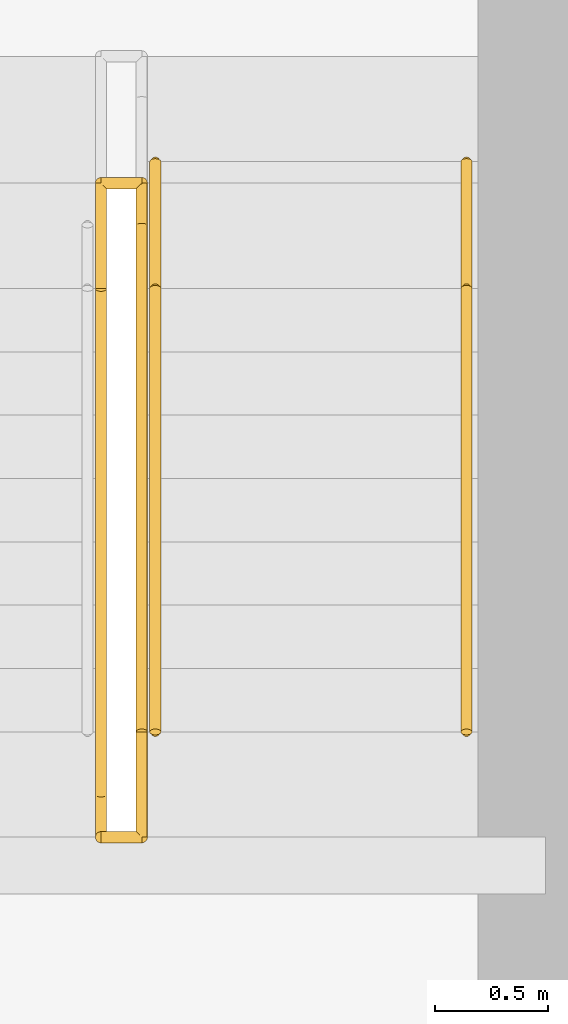
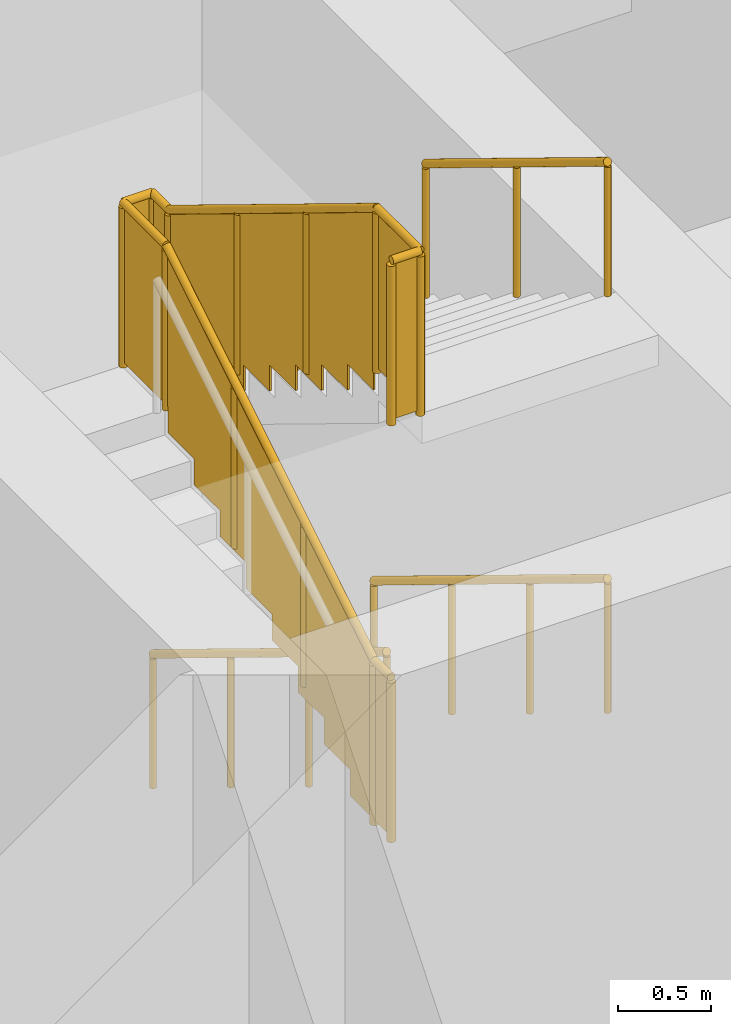
# One storey, part 7 of 7: 6 railings.
"""IFC4 building model written with IfcOpenShell, lengths in metres."""

from ifc_helpers import new_model, si_unit, direction, frame, origin, origin_2d, place, context, subcontext, project, spatial, polyline, circle, outline, extrude, material, type_object, element, save


model = new_model("IFC4")

# Units and contexts
model_context = context("Model", 3, precision=1e-05, world=origin(), true_north=direction((0.0, 1.0)))
body_context = subcontext(model_context, "Body", "Model", "MODEL_VIEW")
ifc_project = project(units=[si_unit("LENGTHUNIT", "METRE"), si_unit("AREAUNIT", "SQUARE_METRE"), si_unit("VOLUMEUNIT", "CUBIC_METRE"), si_unit("PLANEANGLEUNIT", "RADIAN"), si_unit("MASSUNIT", "GRAM", prefix="KILO")], contexts=[model_context])

# Site, building, storey
site_placement = place(None, origin())
site = spatial("IfcSite", under=ifc_project, at=site_placement, CompositionType="ELEMENT")
building_placement = place(site_placement, origin())
building = spatial("IfcBuilding", under=site, at=building_placement, Name="Kilele Tower Hotel", CompositionType="ELEMENT")
storey_placement = place(building_placement, frame((0.0, 0.0, 244.699951171875)))
storey = spatial("IfcBuildingStorey", under=building, at=storey_placement, Name="L63", CompositionType="ELEMENT", Elevation=244.699951171875)

# Railings
ifc_material_1 = material(Name="Steel handrail", Category="steel")
railing_type_1 = type_object("IfcRailingType", Name="Handrail 900", PredefinedType="HANDRAIL", material=ifc_material_1)
for number, where, name in (
    (1, (34.27490234375, 24.760009765625, 1.71435546875), "Handrail ST2 flight 2"),
    (2, (35.64990234375, 24.760009765625, 1.71435546875), "Handrail ST2 flight 2"),
):
    element("IfcRailing", number, at=place(storey_placement, frame(where)), inside=storey, type_object=railing_type_1, Name=name, PredefinedType="HANDRAIL", context=body_context, shape_type="SweptSolid", body=[
        extrude(circle(Radius=0.02490234375, at=origin_2d()), frame((0.0, 0.0, 0.875), z_axis=(0.0, -0.852873080145, 0.522118290393), x_axis=(1.0, 0.0, 0.0)), (0.0, 0.0, 1.0), 2.954833984375),
        extrude(circle(Radius=0.02001953125, at=origin_2d()), origin(), (0.0, 0.0, 1.0), 0.849853515625),
        extrude(circle(Radius=0.02001953125, at=origin_2d()), frame((0.0, -0.840087890625, 0.51416015625)), (0.0, 0.0, 1.0), 0.849853515625),
        extrude(circle(Radius=0.02001953125, at=origin_2d()), frame((0.0, -1.679931640625, 1.028564453125)), (0.0, 0.0, 1.0), 0.849853515625),
        extrude(circle(Radius=0.02001953125, at=origin_2d()), frame((0.0, -2.52001953125, 1.542724609375)), (0.0, 0.0, 1.0), 0.849853515625),
    ])
for number, where, name in (
    (3, (34.27490234375, 24.199951171875, 4.800048828125), "Handrail ST2 flight 4"),
    (4, (35.64990234375, 24.199951171875, 4.800048828125), "Handrail ST2 flight 4"),
):
    element("IfcRailing", number, at=place(storey_placement, frame(where)), inside=storey, type_object=railing_type_1, Name=name, PredefinedType="HANDRAIL", context=body_context, shape_type="SweptSolid", body=[
        extrude(circle(Radius=0.02490234375, at=origin_2d()), frame((0.0, 0.0, 0.875), z_axis=(0.0, -0.852856131449, 0.522145974847), x_axis=(1.0, 0.0, 0.0)), (0.0, 0.0, 1.0), 2.298095703125),
        extrude(circle(Radius=0.02001953125, at=origin_2d()), origin(), (0.0, 0.0, 1.0), 0.849853515625),
        extrude(circle(Radius=0.02001953125, at=origin_2d()), frame((0.0, -0.97998046875, 0.60009765625)), (0.0, 0.0, 1.0), 0.849853515625),
        extrude(circle(Radius=0.02001953125, at=origin_2d()), frame((0.0, -1.9599609375, 1.199951171875)), (0.0, 0.0, 1.0), 0.849853515625),
    ])
ifc_material_2 = material(Name="Steel guard", Category="steel")
railing_type_2 = type_object("IfcRailingType", Name="Stair guard 1100", PredefinedType="GUARDRAIL", material=ifc_material_2)
railing_1_placement = place(storey_placement, frame((34.034912109375, 21.77490234375, 3.257080078125)))
element("IfcRailing", 5, at=railing_1_placement, inside=storey, type_object=railing_type_2, Name="Stair well guard ST2 flight 3", PredefinedType="GUARDRAIL", context=body_context, shape_type="SweptSolid", body=[
    extrude(circle(Radius=0.02490234375, at=origin_2d()), frame((0.0, 0.0, 1.0751953125), z_axis=(0.0, 1.0, 0.0), x_axis=(-1.0, 0.0, 0.0)), (0.0, 0.0, 1.0), 0.18505859375),
    extrude(circle(Radius=0.02490234375, at=origin_2d()), frame((0.0, 0.18505859375, 1.0751953125), z_axis=(0.0, 0.852824270871, 0.522198011308), x_axis=(-1.0, 0.0, 0.0)), (0.0, 0.0, 1.0), 2.62646484375),
    extrude(circle(Radius=0.02490234375, at=origin_2d()), frame((0.0, 2.425048828125, 2.44677734375), z_axis=(0.0, 1.0, 0.0), x_axis=(-1.0, 0.0, 0.0)), (0.0, 0.0, 1.0), 0.465087890625),
    extrude(circle(Radius=0.02490234375, at=origin_2d()), frame((0.0, 2.89013671875, 2.44677734375), z_axis=(1.0, 0.0, 0.0), x_axis=(0.0, 1.0, 0.0)), (0.0, 0.0, 1.0), 0.18017578125),
    extrude(circle(Radius=0.02490234375, at=origin_2d()), origin(), (0.0, 0.0, 1.0), 1.050048828125),
    extrude(circle(Radius=0.02490234375, at=origin_2d()), frame((0.0, 0.18505859375, 0.0)), (0.0, 0.0, 1.0), 1.050048828125),
    extrude(circle(Radius=0.02490234375, at=origin_2d()), frame((0.0, 0.931640625, 0.457275390625)), (0.0, 0.0, 1.0), 1.050048828125),
    extrude(circle(Radius=0.02490234375, at=origin_2d()), frame((0.0, 1.678466796875, 0.914306640625)), (0.0, 0.0, 1.0), 1.050048828125),
    extrude(circle(Radius=0.02490234375, at=origin_2d()), frame((0.0, 2.425048828125, 1.37158203125)), (0.0, 0.0, 1.0), 1.050048828125),
    extrude(circle(Radius=0.02490234375, at=origin_2d()), frame((0.0, 2.89013671875, 1.37158203125)), (0.0, 0.0, 1.0), 1.050048828125),
    extrude(circle(Radius=0.02490234375, at=origin_2d()), frame((0.18017578125, 2.89013671875, 1.37158203125)), (0.0, 0.0, 1.0), 1.050048828125),
    extrude(outline(polyline([(0.0, 0.030029296875), (0.172607421875, 0.030029296875), (0.172607421875, 1.050048828125), (0.0, 1.050048828125), (0.0, 0.030029296875)])), frame((-0.005859375, 0.0, 0.0), z_axis=(1.0, 0.0, 0.0), x_axis=(0.0, 1.0, 0.0)), (0.0, 0.0, 1.0), 0.011962890625),
    extrude(outline(polyline([(0.012451171875, 0.030029296875), (0.25, 0.030029296875), (0.25, 0.201416015625), (0.530029296875, 0.201416015625), (0.530029296875, 0.373046875), (0.81005859375, 0.373046875), (0.81005859375, 0.54443359375), (1.08984375, 0.54443359375), (1.08984375, 0.7158203125), (1.369873046875, 0.7158203125), (1.369873046875, 0.88720703125), (1.64990234375, 0.88720703125), (1.64990234375, 1.05859375), (1.929931640625, 1.05859375), (1.929931640625, 1.230224609375), (2.2099609375, 1.230224609375), (2.2099609375, 1.401611328125), (2.2275390625, 1.401611328125), (2.2275390625, 2.40966796875), (0.012451171875, 1.053466796875), (0.012451171875, 0.030029296875)])), frame((-0.005859375, 0.18505859375, 0.0), z_axis=(1.0, 0.0, 0.0), x_axis=(0.0, 1.0, 0.0)), (0.0, 0.0, 1.0), 0.011962890625),
    extrude(outline(polyline([(0.012451171875, 0.030029296875), (0.45263671875, 0.030029296875), (0.45263671875, 1.050048828125), (0.012451171875, 1.050048828125), (0.012451171875, 0.030029296875)])), frame((-0.005859375, 2.425048828125, 1.37158203125), z_axis=(1.0, 0.0, 0.0), x_axis=(0.0, 1.0, 0.0)), (0.0, 0.0, 1.0), 0.011962890625),
    extrude(outline(polyline([(0.012451171875, 0.030029296875), (0.18017578125, 0.030029296875), (0.18017578125, 1.050048828125), (0.012451171875, 1.050048828125), (0.012451171875, 0.030029296875)])), frame((0.0, 2.89599609375, 1.37158203125), z_axis=(0.0, -1.0, 0.0), x_axis=(1.0, 0.0, 0.0)), (0.0, 0.0, 1.0), 0.011962890625),
])
railing_2_placement = place(storey_placement, frame((34.215087890625, 24.6650390625, 4.628662109375)))
element("IfcRailing", 6, at=railing_2_placement, inside=storey, type_object=railing_type_2, Name="Stair well guard ST2 flight 4", PredefinedType="GUARDRAIL", context=body_context, shape_type="SweptSolid", body=[
    extrude(circle(Radius=0.02490234375, at=origin_2d()), frame((0.0, 0.0, 1.0751953125), z_axis=(0.0, -1.0, 0.0), x_axis=(1.0, 0.0, 0.0)), (0.0, 0.0, 1.0), 0.18505859375),
    extrude(circle(Radius=0.02490234375, at=origin_2d()), frame((0.0, -0.18505859375, 1.0751953125), z_axis=(0.0, -0.852865665234, 0.522130402356), x_axis=(1.0, 0.0, 0.0)), (0.0, 0.0, 1.0), 2.62646484375),
    extrude(circle(Radius=0.02490234375, at=origin_2d()), frame((0.0, -2.425048828125, 2.4462890625), z_axis=(0.0, -1.0, 0.0), x_axis=(1.0, 0.0, 0.0)), (0.0, 0.0, 1.0), 0.465087890625),
    extrude(circle(Radius=0.02490234375, at=origin_2d()), frame((0.0, -2.89013671875, 2.4462890625), z_axis=(-1.0, 0.0, 0.0), x_axis=(0.0, -1.0, 0.0)), (0.0, 0.0, 1.0), 0.18017578125),
    extrude(circle(Radius=0.02490234375, at=origin_2d()), origin(), (0.0, 0.0, 1.0), 1.050048828125),
    extrude(circle(Radius=0.02490234375, at=origin_2d()), frame((0.0, -0.18505859375, 0.0)), (0.0, 0.0, 1.0), 1.050048828125),
    extrude(circle(Radius=0.02490234375, at=origin_2d()), frame((0.0, -0.931640625, 0.45703125)), (0.0, 0.0, 1.0), 1.050048828125),
    extrude(circle(Radius=0.02490234375, at=origin_2d()), frame((0.0, -1.678466796875, 0.914306640625)), (0.0, 0.0, 1.0), 1.050048828125),
    extrude(circle(Radius=0.02490234375, at=origin_2d()), frame((0.0, -2.425048828125, 1.371337890625)), (0.0, 0.0, 1.0), 1.050048828125),
    extrude(circle(Radius=0.02490234375, at=origin_2d()), frame((0.0, -2.89013671875, 1.371337890625)), (0.0, 0.0, 1.0), 1.050048828125),
    extrude(circle(Radius=0.02490234375, at=origin_2d()), frame((-0.18017578125, -2.89013671875, 1.371337890625)), (0.0, 0.0, 1.0), 1.050048828125),
    extrude(outline(polyline([(0.0, 0.030029296875), (0.172607421875, 0.030029296875), (0.172607421875, 1.050048828125), (0.0, 1.050048828125), (0.0, 0.030029296875)])), frame((0.005859375, 0.0, 0.0), z_axis=(-1.0, 0.0, 0.0), x_axis=(0.0, -1.0, 0.0)), (0.0, 0.0, 1.0), 0.011962890625),
    extrude(outline(polyline([(0.012451171875, 0.030029296875), (0.25, 0.030029296875), (0.25, 0.201416015625), (0.530029296875, 0.201416015625), (0.530029296875, 0.372802734375), (0.81005859375, 0.372802734375), (0.81005859375, 0.544189453125), (1.08984375, 0.544189453125), (1.08984375, 0.7158203125), (1.369873046875, 0.7158203125), (1.369873046875, 0.88720703125), (1.64990234375, 0.88720703125), (1.64990234375, 1.05859375), (1.929931640625, 1.05859375), (1.929931640625, 1.22998046875), (2.2099609375, 1.22998046875), (2.2099609375, 1.4013671875), (2.2275390625, 1.4013671875), (2.2275390625, 2.409423828125), (0.012451171875, 1.053466796875), (0.012451171875, 0.030029296875)])), frame((0.005859375, -0.18505859375, 0.0), z_axis=(-1.0, 0.0, 0.0), x_axis=(0.0, -1.0, 0.0)), (0.0, 0.0, 1.0), 0.011962890625),
    extrude(outline(polyline([(0.012451171875, 0.030029296875), (0.45263671875, 0.030029296875), (0.45263671875, 1.050048828125), (0.012451171875, 1.050048828125), (0.012451171875, 0.030029296875)])), frame((0.005859375, -2.425048828125, 1.371337890625), z_axis=(-1.0, 0.0, 0.0), x_axis=(0.0, -1.0, 0.0)), (0.0, 0.0, 1.0), 0.011962890625),
    extrude(outline(polyline([(0.012451171875, 0.030029296875), (0.18017578125, 0.030029296875), (0.18017578125, 1.050048828125), (0.012451171875, 1.050048828125), (0.012451171875, 0.030029296875)])), frame((0.0, -2.89599609375, 1.371337890625), z_axis=(0.0, 1.0, 0.0), x_axis=(-1.0, 0.0, 0.0)), (0.0, 0.0, 1.0), 0.011962890625),
])

save(model, "model.ifc")
